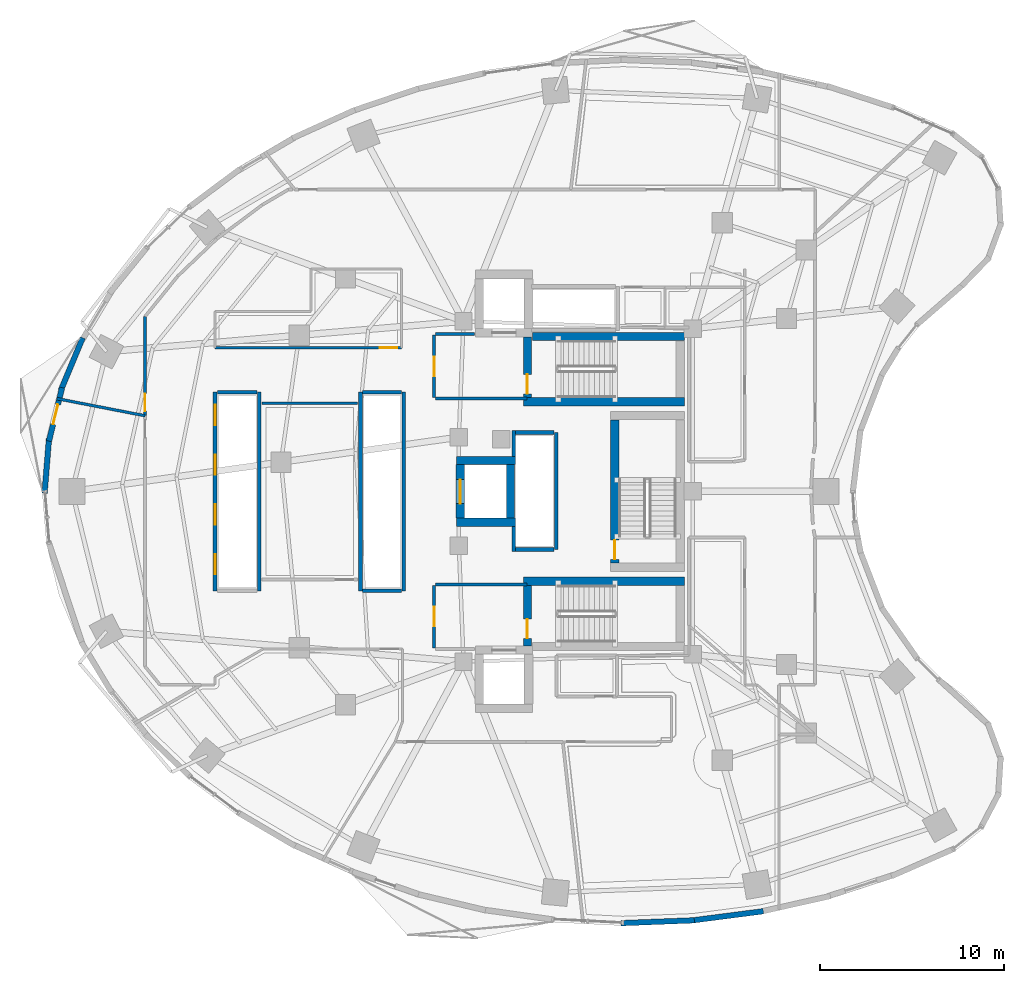
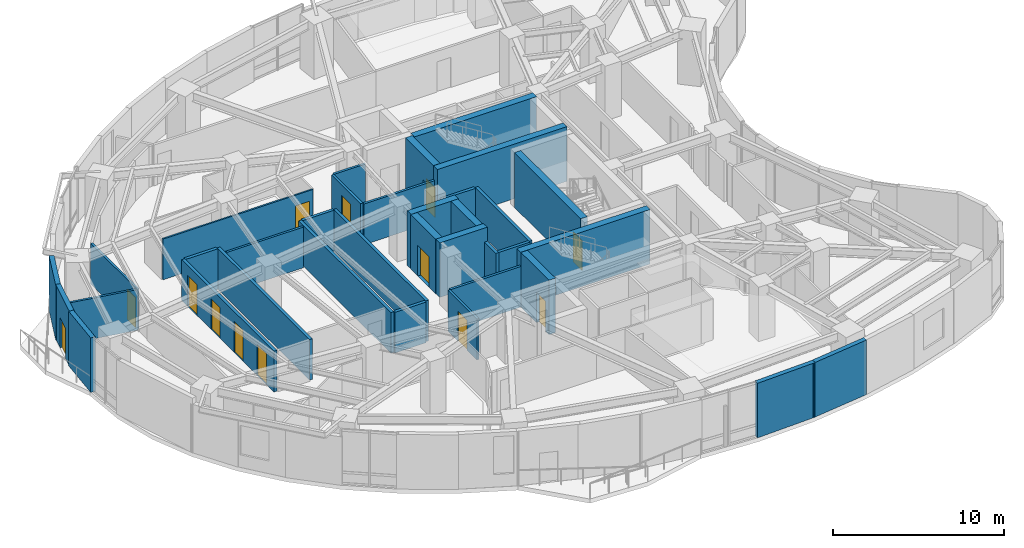
# One storey, part 9 of 15: 36 walls, 13 doors, 13 openings.
"""IFC4 building model written with IfcOpenShell, lengths in metres."""

import ifcopenshell
import ifcopenshell.guid

model = None  # the IFC model being written
_history = None  # IfcOwnerHistory: only IFC2X3 demands one
_inside = {}  # id of a spatial element -> (the spatial element, [elements in it])
_under = {}  # id of a project, library or spatial element -> (it, [spatial elements below it])
_declared = {}  # id of a project -> (the project, [libraries it declares])
_typed = {}  # id of a type object -> (the type object, [elements of that type])
_made_of = {}  # id of a material, layer set ... -> (it, [elements and type objects made of it])


def new_model(schema):
    """Start an empty IFC model of exactly this schema.

    Asked for "IFC4X3", IfcOpenShell would pick the latest addendum, in which some entities
    have other attributes; the version numbers below select the first issue.
    IFC2X3 requires an IfcOwnerHistory on every rooted entity: one is made here for all.
    """
    global model, _history
    if schema == "IFC4X3":
        model = ifcopenshell.file(schema_version=(4, 3, 0, 0))
    else:
        model = ifcopenshell.file(schema=schema)
    _inside.clear()
    _under.clear()
    _declared.clear()
    _typed.clear()
    _made_of.clear()
    _history = None
    if model.schema == "IFC2X3":
        org = make("IfcOrganization", Name="unknown")
        user = make(
            "IfcPersonAndOrganization",
            ThePerson=make("IfcPerson", FamilyName="unknown"),
            TheOrganization=org,
        )
        app = make(
            "IfcApplication",
            ApplicationDeveloper=org,
            Version="unknown",
            ApplicationFullName="unknown",
            ApplicationIdentifier="unknown",
        )
        _history = make(
            "IfcOwnerHistory",
            OwningUser=user,
            OwningApplication=app,
            ChangeAction="ADDED",
            CreationDate=0,
        )
    return model


def make(cls, **values):
    """One entity of the class cls with the attributes given. An attribute that is None is left unset."""
    return model.create_entity(
        cls, **{name: value for name, value in values.items() if value is not None}
    )


def rooted(cls, **values):
    """An entity with a GlobalId (a new one), such as an element, a storey or a relation."""
    return make(cls, GlobalId=ifcopenshell.guid.new(), OwnerHistory=_history, **values)


def si_unit(unit_type, name, prefix=None):
    """IfcSIUnit, for example si_unit("LENGTHUNIT", "METRE", prefix="MILLI")."""
    return make("IfcSIUnit", UnitType=unit_type, Prefix=prefix, Name=name)


def assignment(units):
    """IfcUnitAssignment: the units of a project."""
    return None if units is None else make("IfcUnitAssignment", Units=units)


def point(xyz):
    """IfcCartesianPoint."""
    return None if xyz is None else make("IfcCartesianPoint", Coordinates=xyz)


def direction(xyz):
    """IfcDirection."""
    return None if xyz is None else make("IfcDirection", DirectionRatios=xyz)


def frame(location, z_axis=None, x_axis=None):
    """IfcAxis2Placement3D, a coordinate frame: its origin and axes. An axis left out is left unset."""
    return make(
        "IfcAxis2Placement3D",
        Location=point(location),
        Axis=direction(z_axis),
        RefDirection=direction(x_axis),
    )


def frame_2d(location, x_axis=None):
    """IfcAxis2Placement2D, a coordinate frame in the plane: its origin and x axis."""
    return make(
        "IfcAxis2Placement2D", Location=point(location), RefDirection=direction(x_axis)
    )


def origin():
    """The frame at (0, 0, 0) with its axes left unset."""
    return frame((0.0, 0.0, 0.0))


def place(relative_to, where):
    """IfcLocalPlacement: puts the frame where relative to a parent placement (None: the world)."""
    return make(
        "IfcLocalPlacement", PlacementRelTo=relative_to, RelativePlacement=where
    )


def context(
    kind, dimensions, precision=None, world=None, true_north=None, identifier=None
):
    """IfcGeometricRepresentationContext, for example the 3D "Model" context."""
    return make(
        "IfcGeometricRepresentationContext",
        ContextIdentifier=identifier,
        ContextType=kind,
        CoordinateSpaceDimension=dimensions,
        Precision=precision,
        WorldCoordinateSystem=world,
        TrueNorth=true_north,
    )


def subcontext(parent, identifier, kind, view, scale=None):
    """IfcGeometricRepresentationSubContext, for example "Body" below "Model"."""
    return make(
        "IfcGeometricRepresentationSubContext",
        ContextIdentifier=identifier,
        ContextType=kind,
        ParentContext=parent,
        TargetScale=scale,
        TargetView=view,
    )


def project(units=None, contexts=None):
    """IfcProject with its units and contexts."""
    return rooted(
        "IfcProject",
        Name="project",
        RepresentationContexts=contexts,
        UnitsInContext=assignment(units),
    )


def spatial(cls, under=None, at=None, **own):
    """A site, building, storey or space (cls), placed at a placement, below another one or the project."""
    s = rooted(cls, ObjectPlacement=at, **own)
    if under is not None:
        _under.setdefault(under.id(), (under, []))[1].append(s)
    return s


def profile(cls, at=None, kind="AREA", **sizes):
    """A parametric profile (cls). Its sizes go by their IFC names, for example OverallWidth=200.0."""
    return make(cls, ProfileType=kind, Position=at, **sizes)


def rectangle(**sizes):
    """IfcRectangleProfileDef."""
    return profile("IfcRectangleProfileDef", **sizes)


def extrude(swept, where, along, depth):
    """IfcExtrudedAreaSolid: the profile swept, set in the frame where, extruded along a direction by depth."""
    return make(
        "IfcExtrudedAreaSolid",
        SweptArea=swept,
        Position=where,
        ExtrudedDirection=direction(along),
        Depth=depth,
    )


def shape(context_of_items, identifier, shape_type, items):
    """IfcShapeRepresentation: the items that make up one representation, for example the "Body"."""
    return make(
        "IfcShapeRepresentation",
        ContextOfItems=context_of_items,
        RepresentationIdentifier=identifier,
        RepresentationType=shape_type,
        Items=items,
    )


def material(Name=None, Category=None):
    """IfcMaterial."""
    return make("IfcMaterial", Name=Name, Category=Category)


def layer(
    of_material, thickness, ventilated=None, Name=None, Category=None, Priority=None
):
    """IfcMaterialLayer: one layer of a wall or slab, of a material (None: an air gap)."""
    return make(
        "IfcMaterialLayer",
        Material=of_material,
        LayerThickness=thickness,
        IsVentilated=ventilated,
        Name=Name,
        Category=Category,
        Priority=Priority,
    )


def layer_set(layers, Name=None):
    """IfcMaterialLayerSet."""
    return make("IfcMaterialLayerSet", MaterialLayers=layers, LayerSetName=Name)


def made_of(thing, what):
    """Note that an element or type object is made of a material, layer set ...; save() writes the relation."""
    if what is not None:
        _made_of.setdefault(what.id(), (what, []))[1].append(thing)
    return thing


def type_object(cls, material=None, **own):
    """A type object (cls), such as IfcWallType, which elements share."""
    return made_of(rooted(cls, **own), material)


def element(
    cls,
    number,
    at=None,
    inside=None,
    cuts=None,
    type_object=None,
    material=None,
    context=None,
    identifier="Body",
    shape_type=None,
    held_by="IfcProductDefinitionShape",
    body=None,
    shapes=None,
    **own,
):
    """One element of the class cls, such as IfcWall. Its Tag is "e" and its number.

    at: its placement. inside: the storey or other place that contains it. cuts: it is an
    opening in that element (IfcRelVoidsElement). A single representation is given by context,
    identifier, shape_type and body (its items); several are given by shapes. held_by: the class
    of the entity that holds the representations. save() writes the other relations.
    """
    e = rooted(cls, Tag="e%d" % number, ObjectPlacement=at, **own)
    if body is not None:
        shapes = [shape(context, identifier, shape_type, body)]
    if shapes is not None:
        e.Representation = make(held_by, Representations=shapes)
    if inside is not None:
        _inside.setdefault(inside.id(), (inside, []))[1].append(e)
    if cuts is not None:
        rooted(
            "IfcRelVoidsElement", RelatingBuildingElement=cuts, RelatedOpeningElement=e
        )
    if type_object is not None:
        _typed.setdefault(type_object.id(), (type_object, []))[1].append(e)
    return made_of(e, material)


def fill(opening, filler):
    """IfcRelFillsElement: the door or window that sits in an opening."""
    return rooted(
        "IfcRelFillsElement",
        RelatingOpeningElement=opening,
        RelatedBuildingElement=filler,
    )


def aggregate(whole, parts):
    """IfcRelAggregates: a whole, such as a stair, and the parts it consists of."""
    return rooted("IfcRelAggregates", RelatingObject=whole, RelatedObjects=parts)


def save(model, path):
    """Write the relations noted so far, then the file.

    IfcRelAggregates (storeys below a building ...), IfcRelContainedInSpatialStructure (elements
    in a storey), IfcRelDefinesByType, IfcRelAssociatesMaterial and IfcRelDeclares: one each for
    every whole, place, type object, material and project.
    """
    for whole, parts in _under.values():
        aggregate(whole, parts)
    for where, things in _inside.values():
        rooted(
            "IfcRelContainedInSpatialStructure",
            RelatedElements=things,
            RelatingStructure=where,
        )
    for kind, things in _typed.values():
        rooted("IfcRelDefinesByType", RelatedObjects=things, RelatingType=kind)
    for what, things in _made_of.values():
        rooted("IfcRelAssociatesMaterial", RelatedObjects=things, RelatingMaterial=what)
    for by, libraries in _declared.values():
        rooted("IfcRelDeclares", RelatingContext=by, RelatedDefinitions=libraries)
    model.write(path)


model = new_model("IFC4")

# Units and contexts
model_context = context("Model", 3, precision=1e-05, world=origin(), true_north=direction((0.0, 1.0)))
body_context = subcontext(model_context, "Body", "Model", "MODEL_VIEW")
ifc_project = project(units=[si_unit("LENGTHUNIT", "METRE"), si_unit("AREAUNIT", "SQUARE_METRE"), si_unit("VOLUMEUNIT", "CUBIC_METRE"), si_unit("PLANEANGLEUNIT", "RADIAN"), si_unit("MASSUNIT", "GRAM", prefix="KILO")], contexts=[model_context])

# Site, building, storey
site_placement = place(None, origin())
site = spatial("IfcSite", under=ifc_project, at=site_placement, CompositionType="ELEMENT")
building_placement = place(site_placement, origin())
building = spatial("IfcBuilding", under=site, at=building_placement, Name="Korentha Bioscience Tower", CompositionType="ELEMENT")
storey_placement = place(building_placement, frame((0.0, 0.0, 76.199951171875)))
storey = spatial("IfcBuildingStorey", under=building, at=storey_placement, Name="L17", CompositionType="ELEMENT", Elevation=76.199951171875)

# Wall, opening, door
ifc_material_1 = material(Name="Double-Stud Acoustic Gypsum", Category="gypsum")
ifc_layer_1 = layer(ifc_material_1, 0.14990234375, Name="Double-Stud Acoustic Gypsum")
ifc_layer_set_1 = layer_set([ifc_layer_1], Name="Double-Stud Acoustic Gypsum (IW-L150)")
wall_type_1 = type_object("IfcWallType", Name="Acoustic Laboratory Partition Wall 150", PredefinedType="PARTITIONING", material=ifc_layer_set_1)
wall_1_placement = place(storey_placement, frame((7.7900390625, 36.501220703125, 0.0), z_axis=(0.0, 0.0, 1.0), x_axis=(0.0, -1.0, 0.0)))
wall_1 = element("IfcWall", 1, at=wall_1_placement, inside=storey, type_object=wall_type_1, Name="L17 Senior Scientist Corner Office 14 Entrance Wall", PredefinedType="PARTITIONING", context=body_context, shape_type="SweptSolid", body=[
    extrude(rectangle(XDim=5.37548828125, YDim=0.14990234375, at=frame_2d((2.687744140625, 0.0))), origin(), (0.0, 0.0, 1.0), 2.91015625),
])
opening_1_placement = place(wall_1_placement, frame((4.185302734375, 0.0, 0.0)))
opening_1 = element("IfcOpeningElement", 2, at=opening_1_placement, cuts=wall_1, Name="Opening ID-10L", PredefinedType="OPENING", context=body_context, shape_type="SweptSolid", body=[
    extrude(rectangle(XDim=0.949951171875, YDim=2.14990234375, at=frame_2d((0.47509765625, 1.074951171875))), frame((0.0, 0.08984375, 0.0), z_axis=(0.0, -1.0, 0.0), x_axis=(1.0, 0.0, 0.0)), (0.0, 0.0, 1.0), 0.1796875),
])
ifc_material_2 = material(Name="Phenolic Laminate Timber Core", Category="wood")
door_type_1 = type_object("IfcDoorType", Name="Laboratory Single Leaf Door 950x2150 Left", OperationType="SINGLE_SWING_LEFT", PredefinedType="DOOR", material=ifc_material_2)
door_1_placement = place(opening_1_placement, origin())
door_1 = element("IfcDoor", 3, at=door_1_placement, inside=storey, type_object=door_type_1, Name="L17 Senior Scientist Corner Office 14 Door", OperationType="SINGLE_SWING_LEFT", OverallHeight=2.14990234375, OverallWidth=0.949951171875, PredefinedType="DOOR", context=body_context, shape_type="SweptSolid", body=[
    extrude(rectangle(XDim=0.949951171875, YDim=2.14990234375, at=frame_2d((0.47509765625, 1.074951171875))), frame((0.0, 0.02490234375, 0.0), z_axis=(0.0, -1.0, 0.0), x_axis=(1.0, 0.0, 0.0)), (0.0, 0.0, 1.0), 0.050048828125),
])
fill(opening_1, door_1)

# Walls
wall_2_placement = place(storey_placement, frame((14.159912109375, 31.7900390625, 0.0), z_axis=(0.0, 0.0, 1.0), x_axis=(1.0, 0.0, 0.0)))
element("IfcWall", 4, at=wall_2_placement, inside=storey, type_object=wall_type_1, Name="L17 Interior Partition 022", PredefinedType="PARTITIONING", context=body_context, shape_type="SweptSolid", body=[
    extrude(rectangle(XDim=5.18017578125, YDim=0.14990234375, at=frame_2d((2.590087890625, 0.0))), origin(), (0.0, 0.0, 1.0), 2.91015625),
])
wall_3_placement = place(storey_placement, frame((2.9951171875, 32.047607421875, 0.0), z_axis=(0.0, 0.0, 1.0), x_axis=(0.981623712682, -0.190826850052, 0.0)))
element("IfcWall", 5, at=wall_3_placement, inside=storey, type_object=wall_type_1, Name="L17 Interior Partition 023", PredefinedType="PARTITIONING", context=body_context, shape_type="SweptSolid", body=[
    extrude(rectangle(XDim=4.884765625, YDim=0.14990234375, at=frame_2d((2.4423828125, 0.0))), origin(), (0.0, 0.0, 1.0), 2.91015625),
])

# Wall, opening, door
ifc_material_3 = material(Name="Fire-Rated Framed Glass", Category="glass")
ifc_layer_2 = layer(ifc_material_3, 0.110107421875, Name="Fire-Rated Framed Glass")
ifc_layer_set_2 = layer_set([ifc_layer_2], Name="Fire-Rated Framed Glass (IW-G110)")
wall_type_2 = type_object("IfcWallType", Name="Demountable Glazed Office Partition 110", PredefinedType="MOVABLE", material=ifc_layer_set_2)
wall_4_placement = place(storey_placement, frame((21.739990234375, 34.81005859375, 0.0), z_axis=(0.0, 0.0, 1.0), x_axis=(-1.0, 0.0, 0.0)))
wall_4 = element("IfcWall", 6, at=wall_4_placement, inside=storey, type_object=wall_type_2, Name="L17 Epidemiology Modelling Studio 13 Entrance Wall", PredefinedType="MOVABLE", context=body_context, shape_type="SweptSolid", body=[
    extrude(rectangle(XDim=10.14990234375, YDim=0.110107421875, at=frame_2d((5.074951171875, 0.0))), origin(), (0.0, 0.0, 1.0), 2.91015625),
])
opening_2_placement = place(wall_4_placement, frame((0.239990234375, 0.0, 0.0)))
opening_2 = element("IfcOpeningElement", 7, at=opening_2_placement, cuts=wall_4, Name="Opening ID-10R", PredefinedType="OPENING", context=body_context, shape_type="SweptSolid", body=[
    extrude(rectangle(XDim=0.949951171875, YDim=2.14990234375, at=frame_2d((0.47509765625, 1.074951171875))), frame((0.0, 0.06982421875, 0.0), z_axis=(0.0, -1.0, 0.0), x_axis=(1.0, 0.0, 0.0)), (0.0, 0.0, 1.0), 0.139892578125),
])
door_type_2 = type_object("IfcDoorType", Name="Laboratory Single Leaf Door 950x2150 Right", OperationType="SINGLE_SWING_RIGHT", PredefinedType="DOOR", material=ifc_material_2)
door_2_placement = place(opening_2_placement, origin())
door_2 = element("IfcDoor", 8, at=door_2_placement, inside=storey, type_object=door_type_2, Name="L17 Epidemiology Modelling Studio 13 Door", OperationType="SINGLE_SWING_RIGHT", OverallHeight=2.14990234375, OverallWidth=0.949951171875, PredefinedType="DOOR", context=body_context, shape_type="SweptSolid", body=[
    extrude(rectangle(XDim=0.949951171875, YDim=2.14990234375, at=frame_2d((0.47509765625, 1.074951171875))), frame((0.0, 0.02490234375, 0.0), z_axis=(0.0, -1.0, 0.0), x_axis=(1.0, 0.0, 0.0)), (0.0, 0.0, 1.0), 0.050048828125),
])
fill(opening_2, door_2)

ifc_material_4 = material(Name="Gypsum-Clad Steel Stud", Category="steel")
ifc_layer_3 = layer(ifc_material_4, 0.159912109375, Name="Gypsum-Clad Steel Stud")
ifc_layer_set_3 = layer_set([ifc_layer_3], Name="Gypsum-Clad Steel Stud (IW-C160)")
wall_type_3 = type_object("IfcWallType", Name="Fire-Rated Corridor Partition Wall 160", PredefinedType="PARTITIONING", material=ifc_layer_set_3)
wall_5_placement = place(storey_placement, frame((23.5, 32.10009765625, 0.0), z_axis=(0.0, 0.0, 1.0), x_axis=(0.0, 1.0, 0.0)))
wall_5 = element("IfcWall", 9, at=wall_5_placement, inside=storey, type_object=wall_type_3, Name="L17 FFLN-CW Rated Enclosure Wall", PredefinedType="PARTITIONING", context=body_context, shape_type="SweptSolid", body=[
    extrude(rectangle(XDim=3.39990234375, YDim=0.159912109375, at=frame_2d((1.699951171875, 0.0))), origin(), (0.0, 0.0, 1.0), 2.91015625),
])
opening_3_placement = place(wall_5_placement, frame((1.175048828125, 0.0, 0.0)))
opening_3 = element("IfcOpeningElement", 10, at=opening_3_placement, cuts=wall_5, Name="Opening FD-90R", PredefinedType="OPENING", context=body_context, shape_type="SweptSolid", body=[
    extrude(rectangle(XDim=1.050048828125, YDim=2.14990234375, at=frame_2d((0.52490234375, 1.074951171875))), frame((0.0, 0.0947265625, 0.0), z_axis=(0.0, -1.0, 0.0), x_axis=(1.0, 0.0, 0.0)), (0.0, 0.0, 1.0), 0.189697265625),
])
ifc_material_5 = material(Name="Powder-Coated Fire-Rated Steel", Category="steel")
door_type_3 = type_object("IfcDoorType", Name="Stairwell Fire Exit Door 1050x2150 Right", OperationType="SINGLE_SWING_RIGHT", PredefinedType="DOOR", material=ifc_material_5)
door_3_placement = place(opening_3_placement, origin())
door_3 = element("IfcDoor", 11, at=door_3_placement, inside=storey, type_object=door_type_3, Name="L17 North Firefighting Lobby Door", OperationType="SINGLE_SWING_RIGHT", OverallHeight=2.14990234375, OverallWidth=1.050048828125, PredefinedType="DOOR", context=body_context, shape_type="SweptSolid", body=[
    extrude(rectangle(XDim=1.050048828125, YDim=2.14990234375, at=frame_2d((0.52490234375, 1.074951171875))), frame((0.0, 0.02490234375, 0.0), z_axis=(0.0, -1.0, 0.0), x_axis=(1.0, 0.0, 0.0)), (0.0, 0.0, 1.0), 0.050048828125),
])
fill(opening_3, door_3)

wall_6_placement = place(storey_placement, frame((23.5, 18.5, 0.0), z_axis=(0.0, 0.0, 1.0), x_axis=(0.0, 1.0, 0.0)))
wall_6 = element("IfcWall", 12, at=wall_6_placement, inside=storey, type_object=wall_type_3, Name="L17 FFLS-CW Rated Enclosure Wall", PredefinedType="PARTITIONING", context=body_context, shape_type="SweptSolid", body=[
    extrude(rectangle(XDim=3.39990234375, YDim=0.159912109375, at=frame_2d((1.699951171875, 0.0))), origin(), (0.0, 0.0, 1.0), 2.91015625),
])
opening_4_placement = place(wall_6_placement, frame((1.175048828125, 0.0, 0.0)))
opening_4 = element("IfcOpeningElement", 13, at=opening_4_placement, cuts=wall_6, Name="Opening FD-90R", PredefinedType="OPENING", context=body_context, shape_type="SweptSolid", body=[
    extrude(rectangle(XDim=1.050048828125, YDim=2.14990234375, at=frame_2d((0.52490234375, 1.074951171875))), frame((0.0, 0.0947265625, 0.0), z_axis=(0.0, -1.0, 0.0), x_axis=(1.0, 0.0, 0.0)), (0.0, 0.0, 1.0), 0.189697265625),
])
door_4_placement = place(opening_4_placement, origin())
door_4 = element("IfcDoor", 14, at=door_4_placement, inside=storey, type_object=door_type_3, Name="L17 South Firefighting Lobby Door", OperationType="SINGLE_SWING_RIGHT", OverallHeight=2.14990234375, OverallWidth=1.050048828125, PredefinedType="DOOR", context=body_context, shape_type="SweptSolid", body=[
    extrude(rectangle(XDim=1.050048828125, YDim=2.14990234375, at=frame_2d((0.52490234375, 1.074951171875))), frame((0.0, 0.02490234375, 0.0), z_axis=(0.0, -1.0, 0.0), x_axis=(1.0, 0.0, 0.0)), (0.0, 0.0, 1.0), 0.050048828125),
])
fill(opening_4, door_4)

# Walls
wall_7_placement = place(storey_placement, frame((23.580078125, 32.050048828125, 0.0), z_axis=(0.0, 0.0, 1.0), x_axis=(1.0, 0.0, 0.0)))
element("IfcWall", 15, at=wall_7_placement, inside=storey, type_object=wall_type_3, Name="L17 Firefighting Lobby Return Wall FFLN-S", PredefinedType="PARTITIONING", context=body_context, shape_type="SweptSolid", body=[
    extrude(rectangle(XDim=4.969970703125, YDim=0.159912109375, at=frame_2d((2.48486328125, 0.0))), origin(), (0.0, 0.0, 1.0), 2.91015625),
])
wall_8_placement = place(storey_placement, frame((23.580078125, 35.550048828125, 0.0), z_axis=(0.0, 0.0, 1.0), x_axis=(1.0, 0.0, 0.0)))
element("IfcWall", 16, at=wall_8_placement, inside=storey, type_object=wall_type_3, Name="L17 Firefighting Lobby Return Wall FFLN-N", PredefinedType="PARTITIONING", context=body_context, shape_type="SweptSolid", body=[
    extrude(rectangle(XDim=2.119873046875, YDim=0.159912109375, at=frame_2d((1.06005859375, 0.0))), origin(), (0.0, 0.0, 1.0), 2.91015625),
])
wall_9_placement = place(storey_placement, frame((23.580078125, 21.949951171875, 0.0), z_axis=(0.0, 0.0, 1.0), x_axis=(1.0, 0.0, 0.0)))
element("IfcWall", 17, at=wall_9_placement, inside=storey, type_object=wall_type_3, Name="L17 Firefighting Lobby Return Wall FFLS-N", PredefinedType="PARTITIONING", context=body_context, shape_type="SweptSolid", body=[
    extrude(rectangle(XDim=4.969970703125, YDim=0.159912109375, at=frame_2d((2.48486328125, 0.0))), origin(), (0.0, 0.0, 1.0), 2.91015625),
])

# Wall, opening, door
ifc_material_6 = material(Name="Honed Limestone Precast Concrete C40", Category="masonry")
ifc_layer_4 = layer(ifc_material_6, 0.300048828125, Name="Honed Limestone Precast Concrete C40")
ifc_layer_set_4 = layer_set([ifc_layer_4], Name="Honed Limestone Precast Concrete C40 (EW-ST300)")
wall_type_4 = type_object("IfcWallType", Name="Honed Limestone Cavity Spandrel Wall 300", PredefinedType="STANDARD", material=ifc_layer_set_4)
wall_10_placement = place(storey_placement, frame((3.28466796875, 32.640625, 0.0), z_axis=(0.0, 0.0, 1.0), x_axis=(-0.238522035896, -0.971137085273, 0.0)))
wall_10 = element("IfcWall", 18, at=wall_10_placement, inside=storey, type_object=wall_type_4, Name="L17 Balcony Threshold Wall 02", PredefinedType="STANDARD", context=body_context, shape_type="SweptSolid", body=[
    extrude(rectangle(XDim=2.992919921875, YDim=0.300048828125, at=frame_2d((1.49658203125, 0.0))), origin(), (0.0, 0.0, 1.0), 3.900146484375),
])
opening_5_placement = place(wall_10_placement, frame((0.9462890625, 0.0, 0.0)))
opening_5 = element("IfcOpeningElement", 19, at=opening_5_placement, cuts=wall_10, Name="Opening BD-11R", PredefinedType="OPENING", context=body_context, shape_type="SweptSolid", body=[
    extrude(rectangle(XDim=1.10009765625, YDim=2.14990234375, at=frame_2d((0.550048828125, 1.074951171875))), frame((0.0, 0.1650390625, 0.0), z_axis=(0.0, -1.0, 0.0), x_axis=(1.0, 0.0, 0.0)), (0.0, 0.0, 1.0), 0.329833984375),
])
ifc_material_7 = material(Name="Thermally Broken Glazed Aluminium", Category="aluminium")
door_type_4 = type_object("IfcDoorType", Name="Balcony Terrace Glazed Door 1100x2150 Right", OperationType="SINGLE_SWING_RIGHT", PredefinedType="DOOR", material=ifc_material_7)
door_5_placement = place(opening_5_placement, origin())
door_5 = element("IfcDoor", 20, at=door_5_placement, inside=storey, type_object=door_type_4, Name="L17 Balcony Access Door 02", OperationType="SINGLE_SWING_RIGHT", OverallHeight=2.14990234375, OverallWidth=1.10009765625, PredefinedType="DOOR", context=body_context, shape_type="SweptSolid", body=[
    extrude(rectangle(XDim=1.10009765625, YDim=2.14990234375, at=frame_2d((0.550048828125, 1.074951171875))), frame((0.0, 0.02490234375, 0.0), z_axis=(0.0, -1.0, 0.0), x_axis=(1.0, 0.0, 0.0)), (0.0, 0.0, 1.0), 0.050048828125),
])
fill(opening_5, door_5)

# Walls
wall_11_placement = place(storey_placement, frame((4.40625, 35.34912109375, 0.0), z_axis=(0.0, 0.0, 1.0), x_axis=(-0.38535448421, -0.922768617531, 0.0)))
element("IfcWall", 21, at=wall_11_placement, inside=storey, type_object=wall_type_4, Name="L17 Limestone Perimeter Closure Wall 16", PredefinedType="STANDARD", context=body_context, shape_type="SweptSolid", body=[
    extrude(rectangle(XDim=3.095458984375, YDim=0.300048828125, at=frame_2d((1.5478515625, 0.0))), origin(), (0.0, 0.0, 1.0), 3.900146484375),
])
wall_12_placement = place(storey_placement, frame((2.57568359375, 29.899169921875, 0.0), z_axis=(0.0, 0.0, 1.0), x_axis=(-0.080890160317, -0.996723021689, 0.0)))
element("IfcWall", 22, at=wall_12_placement, inside=storey, type_object=wall_type_4, Name="L17 Limestone Perimeter Closure Wall 18", PredefinedType="STANDARD", context=body_context, shape_type="SweptSolid", body=[
    extrude(rectangle(XDim=3.0, YDim=0.300048828125, at=frame_2d((1.5, 0.0))), origin(), (0.0, 0.0, 1.0), 3.900146484375),
])
wall_13_placement = place(storey_placement, frame((33.66796875, 3.53759765625, 0.0), z_axis=(0.0, 0.0, 1.0), x_axis=(0.999245411623, 0.038840794937, 0.0)))
element("IfcWall", 23, at=wall_13_placement, inside=storey, type_object=wall_type_4, Name="L17 Limestone Perimeter Closure Wall 32", PredefinedType="STANDARD", context=body_context, shape_type="SweptSolid", body=[
    extrude(rectangle(XDim=3.978759765625, YDim=0.300048828125, at=frame_2d((1.9892578125, 0.0))), origin(), (0.0, 0.0, 1.0), 3.900146484375),
])
wall_14_placement = place(storey_placement, frame((37.471923828125, 3.677734375, 0.0), z_axis=(0.0, 0.0, 1.0), x_axis=(0.991734095036, 0.128310111617, 0.0)))
element("IfcWall", 24, at=wall_14_placement, inside=storey, type_object=wall_type_4, Name="L17 Limestone Perimeter Closure Wall 33", PredefinedType="STANDARD", context=body_context, shape_type="SweptSolid", body=[
    extrude(rectangle(XDim=3.955810546875, YDim=0.300048828125, at=frame_2d((1.97802734375, 0.0))), origin(), (0.0, 0.0, 1.0), 3.900146484375),
])

# Wall, openings, doors
ifc_material_8 = material(Name="Autoclaved Aerated Concrete Block C25", Category="concrete")
ifc_layer_5 = layer(ifc_material_8, 0.199951171875, Name="Autoclaved Aerated Concrete Block C25")
ifc_layer_set_5 = layer_set([ifc_layer_5], Name="Autoclaved Aerated Concrete Block C25 (IW-S200)")
wall_type_5 = type_object("IfcWallType", Name="Lift and Riser Shaft Enclosure Wall 200", PredefinedType="PARTITIONING", material=ifc_layer_set_5)
wall_15_placement = place(storey_placement, frame((11.60009765625, 21.60009765625, 0.0), z_axis=(0.0, 0.0, 1.0), x_axis=(0.0, 1.0, 0.0)))
wall_15 = element("IfcWall", 25, at=wall_15_placement, inside=storey, type_object=wall_type_5, Name="L17 Lift Bank LOW Shaft Wall -X", PredefinedType="PARTITIONING", context=body_context, shape_type="SweptSolid", body=[
    extrude(rectangle(XDim=10.7998046875, YDim=0.199951171875, at=frame_2d((5.39990234375, 0.0))), origin(), (0.0, 0.0, 1.0), 2.91015625),
])
opening_6_placement = place(wall_15_placement, frame((0.89990234375, 0.0, 0.0)))
opening_6 = element("IfcOpeningElement", 26, at=opening_6_placement, cuts=wall_15, Name="Opening LD-11", PredefinedType="OPENING", context=body_context, shape_type="SweptSolid", body=[
    extrude(rectangle(XDim=1.10009765625, YDim=2.199951171875, at=frame_2d((0.550048828125, 1.10009765625))), frame((0.0, 0.11474609375, 0.0), z_axis=(0.0, -1.0, 0.0), x_axis=(1.0, 0.0, 0.0)), (0.0, 0.0, 1.0), 0.229736328125),
])
opening_7_placement = place(wall_15_placement, frame((3.60009765625, 0.0, 0.0)))
opening_7 = element("IfcOpeningElement", 27, at=opening_7_placement, cuts=wall_15, Name="Opening LD-11", PredefinedType="OPENING", context=body_context, shape_type="SweptSolid", body=[
    extrude(rectangle(XDim=1.10009765625, YDim=2.199951171875, at=frame_2d((0.550048828125, 1.10009765625))), frame((0.0, 0.11474609375, 0.0), z_axis=(0.0, -1.0, 0.0), x_axis=(1.0, 0.0, 0.0)), (0.0, 0.0, 1.0), 0.229736328125),
])
opening_8_placement = place(wall_15_placement, frame((6.300048828125, 0.0, 0.0)))
opening_8 = element("IfcOpeningElement", 28, at=opening_8_placement, cuts=wall_15, Name="Opening LD-11", PredefinedType="OPENING", context=body_context, shape_type="SweptSolid", body=[
    extrude(rectangle(XDim=1.10009765625, YDim=2.199951171875, at=frame_2d((0.550048828125, 1.10009765625))), frame((0.0, 0.11474609375, 0.0), z_axis=(0.0, -1.0, 0.0), x_axis=(1.0, 0.0, 0.0)), (0.0, 0.0, 1.0), 0.229736328125),
])
opening_9_placement = place(wall_15_placement, frame((9.0, 0.0, 0.0)))
opening_9 = element("IfcOpeningElement", 29, at=opening_9_placement, cuts=wall_15, Name="Opening LD-11", PredefinedType="OPENING", context=body_context, shape_type="SweptSolid", body=[
    extrude(rectangle(XDim=1.10009765625, YDim=2.199951171875, at=frame_2d((0.550048828125, 1.10009765625))), frame((0.0, 0.11474609375, 0.0), z_axis=(0.0, -1.0, 0.0), x_axis=(1.0, 0.0, 0.0)), (0.0, 0.0, 1.0), 0.229736328125),
])
ifc_material_9 = material(Name="Brushed Stainless Steel 304", Category="steel")
door_type_5 = type_object("IfcDoorType", Name="Passenger Lift Sliding Landing Door 1100x2200", OperationType="DOUBLE_DOOR_SLIDING", PredefinedType="DOOR", material=ifc_material_9)
door_6_placement = place(opening_6_placement, origin())
door_6 = element("IfcDoor", 30, at=door_6_placement, inside=storey, type_object=door_type_5, Name="L17 PL-L1 Sliding Lift Landing Door", OperationType="DOUBLE_DOOR_SLIDING", OverallHeight=2.199951171875, OverallWidth=1.10009765625, PredefinedType="DOOR", context=body_context, shape_type="SweptSolid", body=[
    extrude(rectangle(XDim=1.10009765625, YDim=2.199951171875, at=frame_2d((0.550048828125, 1.10009765625))), frame((0.0, 0.02490234375, 0.0), z_axis=(0.0, -1.0, 0.0), x_axis=(1.0, 0.0, 0.0)), (0.0, 0.0, 1.0), 0.050048828125),
])
fill(opening_6, door_6)
door_7_placement = place(opening_7_placement, origin())
door_7 = element("IfcDoor", 31, at=door_7_placement, inside=storey, type_object=door_type_5, Name="L17 PL-L2 Sliding Lift Landing Door", OperationType="DOUBLE_DOOR_SLIDING", OverallHeight=2.199951171875, OverallWidth=1.10009765625, PredefinedType="DOOR", context=body_context, shape_type="SweptSolid", body=[
    extrude(rectangle(XDim=1.10009765625, YDim=2.199951171875, at=frame_2d((0.550048828125, 1.10009765625))), frame((0.0, 0.02490234375, 0.0), z_axis=(0.0, -1.0, 0.0), x_axis=(1.0, 0.0, 0.0)), (0.0, 0.0, 1.0), 0.050048828125),
])
fill(opening_7, door_7)
door_8_placement = place(opening_8_placement, origin())
door_8 = element("IfcDoor", 32, at=door_8_placement, inside=storey, type_object=door_type_5, Name="L17 PL-L3 Sliding Lift Landing Door", OperationType="DOUBLE_DOOR_SLIDING", OverallHeight=2.199951171875, OverallWidth=1.10009765625, PredefinedType="DOOR", context=body_context, shape_type="SweptSolid", body=[
    extrude(rectangle(XDim=1.10009765625, YDim=2.199951171875, at=frame_2d((0.550048828125, 1.10009765625))), frame((0.0, 0.02490234375, 0.0), z_axis=(0.0, -1.0, 0.0), x_axis=(1.0, 0.0, 0.0)), (0.0, 0.0, 1.0), 0.050048828125),
])
fill(opening_8, door_8)
door_9_placement = place(opening_9_placement, origin())
door_9 = element("IfcDoor", 33, at=door_9_placement, inside=storey, type_object=door_type_5, Name="L17 PL-L4 Sliding Lift Landing Door", OperationType="DOUBLE_DOOR_SLIDING", OverallHeight=2.199951171875, OverallWidth=1.10009765625, PredefinedType="DOOR", context=body_context, shape_type="SweptSolid", body=[
    extrude(rectangle(XDim=1.10009765625, YDim=2.199951171875, at=frame_2d((0.550048828125, 1.10009765625))), frame((0.0, 0.02490234375, 0.0), z_axis=(0.0, -1.0, 0.0), x_axis=(1.0, 0.0, 0.0)), (0.0, 0.0, 1.0), 0.050048828125),
])
fill(opening_9, door_9)

# Walls
wall_16_placement = place(storey_placement, frame((14.0, 21.60009765625, 0.0), z_axis=(0.0, 0.0, 1.0), x_axis=(0.0, 1.0, 0.0)))
element("IfcWall", 34, at=wall_16_placement, inside=storey, type_object=wall_type_5, Name="L17 Lift Bank LOW Shaft Wall +X", PredefinedType="PARTITIONING", context=body_context, shape_type="SweptSolid", body=[
    extrude(rectangle(XDim=10.7998046875, YDim=0.199951171875, at=frame_2d((5.39990234375, 0.0))), origin(), (0.0, 0.0, 1.0), 2.91015625),
])
wall_17_placement = place(storey_placement, frame((11.719970703125, 32.39990234375, 0.0), z_axis=(0.0, 0.0, 1.0), x_axis=(1.0, 0.0, 0.0)))
element("IfcWall", 35, at=wall_17_placement, inside=storey, type_object=wall_type_5, Name="L17 Lift Bank LOW Shaft Wall +Y", PredefinedType="PARTITIONING", context=body_context, shape_type="SweptSolid", body=[
    extrude(rectangle(XDim=2.159912109375, YDim=0.199951171875, at=frame_2d((1.080078125, 0.0))), origin(), (0.0, 0.0, 1.0), 2.91015625),
])
for number, where, z_axis, x_axis, name in (
    (36, (19.5, 21.60009765625, 0.0), (0.0, 0.0, 1.0), (0.0, 1.0, 0.0), "L17 Lift Bank MID Shaft Wall -X"),
    (37, (21.85009765625, 21.60009765625, 0.0), (0.0, 0.0, 1.0), (0.0, 1.0, 0.0), "L17 Lift Bank MID Shaft Wall +X"),
):
    element("IfcWall", number, at=place(storey_placement, frame(where, z_axis=z_axis, x_axis=x_axis)), inside=storey, type_object=wall_type_5, Name=name, PredefinedType="PARTITIONING", context=body_context, shape_type="SweptSolid", body=[
        extrude(rectangle(XDim=10.7998046875, YDim=0.199951171875, at=frame_2d((5.39990234375, 0.0))), origin(), (0.0, 0.0, 1.0), 2.91015625),
    ])
for number, where, z_axis, x_axis, name in (
    (38, (19.6201171875, 21.60009765625, 0.0), (0.0, 0.0, 1.0), (1.0, 0.0, 0.0), "L17 Lift Bank MID Shaft Wall -Y"),
    (39, (19.6201171875, 32.39990234375, 0.0), (0.0, 0.0, 1.0), (1.0, 0.0, 0.0), "L17 Lift Bank MID Shaft Wall +Y"),
):
    element("IfcWall", number, at=place(storey_placement, frame(where, z_axis=z_axis, x_axis=x_axis)), inside=storey, type_object=wall_type_5, Name=name, PredefinedType="PARTITIONING", context=body_context, shape_type="SweptSolid", body=[
        extrude(rectangle(XDim=2.10986328125, YDim=0.199951171875, at=frame_2d((1.054931640625, 0.0))), origin(), (0.0, 0.0, 1.0), 2.91015625),
    ])
wall_18_placement = place(storey_placement, frame((27.830078125, 23.75, 0.0), z_axis=(0.0, 0.0, 1.0), x_axis=(0.0, 1.0, 0.0)))
element("IfcWall", 40, at=wall_18_placement, inside=storey, type_object=wall_type_5, Name="L17 Lift Bank HIGH Shaft Wall -XS", PredefinedType="PARTITIONING", context=body_context, shape_type="SweptSolid", body=[
    extrude(rectangle(XDim=1.341064453125, YDim=0.199951171875, at=frame_2d((0.67041015625, 0.0))), origin(), (0.0, 0.0, 1.0), 2.91015625),
])
wall_19_placement = place(storey_placement, frame((27.830078125, 28.908935546875, 0.0), z_axis=(0.0, 0.0, 1.0), x_axis=(0.0, 1.0, 0.0)))
element("IfcWall", 41, at=wall_19_placement, inside=storey, type_object=wall_type_5, Name="L17 Lift Bank HIGH Shaft Wall -XN", PredefinedType="PARTITIONING", context=body_context, shape_type="SweptSolid", body=[
    extrude(rectangle(XDim=1.39111328125, YDim=0.199951171875, at=frame_2d((0.695556640625, 0.0))), origin(), (0.0, 0.0, 1.0), 2.91015625),
])
wall_20_placement = place(storey_placement, frame((30.14990234375, 23.85009765625, 0.0), z_axis=(0.0, 0.0, 1.0), x_axis=(0.0, 1.0, 0.0)))
element("IfcWall", 42, at=wall_20_placement, inside=storey, type_object=wall_type_5, Name="L17 Lift Bank HIGH Shaft Wall +X", PredefinedType="PARTITIONING", context=body_context, shape_type="SweptSolid", body=[
    extrude(rectangle(XDim=6.349853515625, YDim=0.199951171875, at=frame_2d((3.1748046875, 0.0))), origin(), (0.0, 0.0, 1.0), 2.91015625),
])
for number, where, z_axis, x_axis, name in (
    (43, (27.93408203125, 23.85009765625, 0.0), (0.0, 0.0, 1.0), (1.0, 0.0, 0.0), "L17 Lift Bank HIGH Shaft Wall -Y"),
    (44, (27.93408203125, 30.199951171875, 0.0), (0.0, 0.0, 1.0), (1.0, 0.0, 0.0), "L17 Lift Bank HIGH Shaft Wall +Y"),
):
    element("IfcWall", number, at=place(storey_placement, frame(where, z_axis=z_axis, x_axis=x_axis)), inside=storey, type_object=wall_type_5, Name=name, PredefinedType="PARTITIONING", context=body_context, shape_type="SweptSolid", body=[
        extrude(rectangle(XDim=2.095947265625, YDim=0.199951171875, at=frame_2d((1.0478515625, 0.0))), origin(), (0.0, 0.0, 1.0), 2.91015625),
    ])
ifc_material_10 = material(Name="Concrete C80", Category="concrete")
ifc_layer_6 = layer(ifc_material_10, 0.449951171875, Name="Concrete C80")
ifc_layer_set_6 = layer_set([ifc_layer_6], Name="Concrete C80 (CW-C80)")
wall_type_6 = type_object("IfcWallType", Name="Lower Core Shear Wall 450", PredefinedType="SHEAR", material=ifc_layer_set_6)
wall_21_placement = place(storey_placement, frame((28.85205078125, 35.425048828125, 0.0), z_axis=(0.0, 0.0, 1.0), x_axis=(1.0, 0.0, 0.0)))
element("IfcWall", 45, at=wall_21_placement, inside=storey, type_object=wall_type_6, Name="L17 Core Shear Wall ST1-N", PredefinedType="SHEAR", context=body_context, shape_type="SweptSolid", body=[
    extrude(rectangle(XDim=8.248046875, YDim=0.449951171875, at=frame_2d((4.1240234375, 0.0))), origin(), (0.0, 0.0, 1.0), 3.900146484375),
])
wall_22_placement = place(storey_placement, frame((28.35009765625, 31.875, 0.0), z_axis=(0.0, 0.0, 1.0), x_axis=(1.0, 0.0, 0.0)))
element("IfcWall", 46, at=wall_22_placement, inside=storey, type_object=wall_type_6, Name="L17 Core Shear Wall ST1-S", PredefinedType="SHEAR", context=body_context, shape_type="SweptSolid", body=[
    extrude(rectangle(XDim=8.75, YDim=0.449951171875, at=frame_2d((4.375, 0.0))), origin(), (0.0, 0.0, 1.0), 3.900146484375),
])

# Wall, opening, door
wall_23_placement = place(storey_placement, frame((28.574951171875, 32.110107421875, 0.0), z_axis=(0.0, 0.0, 1.0), x_axis=(0.0, 1.0, 0.0)))
wall_23 = element("IfcWall", 47, at=wall_23_placement, inside=storey, type_object=wall_type_6, Name="L17 Core Shear Wall ST1-W", PredefinedType="SHEAR", context=body_context, shape_type="SweptSolid", body=[
    extrude(rectangle(XDim=3.282958984375, YDim=0.449951171875, at=frame_2d((1.6416015625, 0.0))), origin(), (0.0, 0.0, 1.0), 3.900146484375),
])
opening_10_placement = place(wall_23_placement, frame((0.199951171875, 0.0, 0.0)))
opening_10 = element("IfcOpeningElement", 48, at=opening_10_placement, cuts=wall_23, Name="Opening FD-90R", PredefinedType="OPENING", context=body_context, shape_type="SweptSolid", body=[
    extrude(rectangle(XDim=1.050048828125, YDim=2.14990234375, at=frame_2d((0.52490234375, 1.074951171875))), frame((0.0, 0.23974609375, 0.0), z_axis=(0.0, -1.0, 0.0), x_axis=(1.0, 0.0, 0.0)), (0.0, 0.0, 1.0), 0.479736328125),
])
door_10_placement = place(opening_10_placement, origin())
door_10 = element("IfcDoor", 49, at=door_10_placement, inside=storey, type_object=door_type_3, Name="L17 ST-1 Fire Exit Stair Door", OperationType="SINGLE_SWING_RIGHT", OverallHeight=2.14990234375, OverallWidth=1.050048828125, PredefinedType="DOOR", context=body_context, shape_type="SweptSolid", body=[
    extrude(rectangle(XDim=1.050048828125, YDim=2.14990234375, at=frame_2d((0.52490234375, 1.074951171875))), frame((0.0, 0.02490234375, 0.0), z_axis=(0.0, -1.0, 0.0), x_axis=(1.0, 0.0, 0.0)), (0.0, 0.0, 1.0), 0.050048828125),
])
fill(opening_10, door_10)

# Wall
wall_24_placement = place(storey_placement, frame((28.35009765625, 22.125, 0.0), z_axis=(0.0, 0.0, 1.0), x_axis=(1.0, 0.0, 0.0)))
element("IfcWall", 50, at=wall_24_placement, inside=storey, type_object=wall_type_6, Name="L17 Core Shear Wall ST2-N", PredefinedType="SHEAR", context=body_context, shape_type="SweptSolid", body=[
    extrude(rectangle(XDim=8.75, YDim=0.449951171875, at=frame_2d((4.375, 0.0))), origin(), (0.0, 0.0, 1.0), 3.900146484375),
])

# Wall, opening, door
wall_25_placement = place(storey_placement, frame((28.574951171875, 18.60693359375, 0.0), z_axis=(0.0, 0.0, 1.0), x_axis=(0.0, 1.0, 0.0)))
wall_25 = element("IfcWall", 51, at=wall_25_placement, inside=storey, type_object=wall_type_6, Name="L17 Core Shear Wall ST2-W", PredefinedType="SHEAR", context=body_context, shape_type="SweptSolid", body=[
    extrude(rectangle(XDim=3.282958984375, YDim=0.449951171875, at=frame_2d((1.6416015625, 0.0))), origin(), (0.0, 0.0, 1.0), 3.900146484375),
])
opening_11_placement = place(wall_25_placement, frame((0.403076171875, 0.0, 0.0)))
opening_11 = element("IfcOpeningElement", 52, at=opening_11_placement, cuts=wall_25, Name="Opening FD-90R", PredefinedType="OPENING", context=body_context, shape_type="SweptSolid", body=[
    extrude(rectangle(XDim=1.050048828125, YDim=2.14990234375, at=frame_2d((0.52490234375, 1.074951171875))), frame((0.0, 0.23974609375, 0.0), z_axis=(0.0, -1.0, 0.0), x_axis=(1.0, 0.0, 0.0)), (0.0, 0.0, 1.0), 0.479736328125),
])
door_11_placement = place(opening_11_placement, origin())
door_11 = element("IfcDoor", 53, at=door_11_placement, inside=storey, type_object=door_type_3, Name="L17 ST-2 Fire Exit Stair Door", OperationType="SINGLE_SWING_RIGHT", OverallHeight=2.14990234375, OverallWidth=1.050048828125, PredefinedType="DOOR", context=body_context, shape_type="SweptSolid", body=[
    extrude(rectangle(XDim=1.050048828125, YDim=2.14990234375, at=frame_2d((0.52490234375, 1.074951171875))), frame((0.0, 0.02490234375, 0.0), z_axis=(0.0, -1.0, 0.0), x_axis=(1.0, 0.0, 0.0)), (0.0, 0.0, 1.0), 0.050048828125),
])
fill(opening_11, door_11)

wall_26_placement = place(storey_placement, frame((33.324951171875, 23.110107421875, 0.0), z_axis=(0.0, 0.0, 1.0), x_axis=(0.0, 1.0, 0.0)))
wall_26 = element("IfcWall", 54, at=wall_26_placement, inside=storey, type_object=wall_type_6, Name="L17 Core Shear Wall ST3-W", PredefinedType="SHEAR", context=body_context, shape_type="SweptSolid", body=[
    extrude(rectangle(XDim=7.77978515625, YDim=0.449951171875, at=frame_2d((3.889892578125, 0.0))), origin(), (0.0, 0.0, 1.0), 3.900146484375),
])
opening_12_placement = place(wall_26_placement, frame((0.199951171875, 0.0, 0.0)))
opening_12 = element("IfcOpeningElement", 55, at=opening_12_placement, cuts=wall_26, Name="Opening FD-90R", PredefinedType="OPENING", context=body_context, shape_type="SweptSolid", body=[
    extrude(rectangle(XDim=1.050048828125, YDim=2.14990234375, at=frame_2d((0.52490234375, 1.074951171875))), frame((0.0, 0.23974609375, 0.0), z_axis=(0.0, -1.0, 0.0), x_axis=(1.0, 0.0, 0.0)), (0.0, 0.0, 1.0), 0.479736328125),
])
door_12_placement = place(opening_12_placement, origin())
door_12 = element("IfcDoor", 56, at=door_12_placement, inside=storey, type_object=door_type_3, Name="L17 ST-3 Fire Exit Stair Door", OperationType="SINGLE_SWING_RIGHT", OverallHeight=2.14990234375, OverallWidth=1.050048828125, PredefinedType="DOOR", context=body_context, shape_type="SweptSolid", body=[
    extrude(rectangle(XDim=1.050048828125, YDim=2.14990234375, at=frame_2d((0.52490234375, 1.074951171875))), frame((0.0, 0.02490234375, 0.0), z_axis=(0.0, -1.0, 0.0), x_axis=(1.0, 0.0, 0.0)), (0.0, 0.0, 1.0), 0.050048828125),
])
fill(opening_12, door_12)

# Walls
for number, where, z_axis, x_axis, name in (
    (57, (24.719970703125, 28.679931640625, 0.0), (0.0, 0.0, 1.0), (1.0, 0.0, 0.0), "L17 Core Shear Wall SVL1-N"),
    (58, (24.719970703125, 25.320068359375, 0.0), (0.0, 0.0, 1.0), (1.0, 0.0, 0.0), "L17 Core Shear Wall SVL1-S"),
):
    element("IfcWall", number, at=place(storey_placement, frame(where, z_axis=z_axis, x_axis=x_axis)), inside=storey, type_object=wall_type_6, Name=name, PredefinedType="SHEAR", context=body_context, shape_type="SweptSolid", body=[
        extrude(rectangle(XDim=3.2099609375, YDim=0.449951171875, at=frame_2d((1.60498046875, 0.0))), origin(), (0.0, 0.0, 1.0), 3.900146484375),
    ])

# Wall, opening, door
wall_27_placement = place(storey_placement, frame((24.919921875, 25.547119140625, 0.0), z_axis=(0.0, 0.0, 1.0), x_axis=(0.0, 1.0, 0.0)))
wall_27 = element("IfcWall", 59, at=wall_27_placement, inside=storey, type_object=wall_type_6, Name="L17 Core Shear Wall SVL1-W", PredefinedType="SHEAR", context=body_context, shape_type="SweptSolid", body=[
    extrude(rectangle(XDim=2.90576171875, YDim=0.449951171875, at=frame_2d((1.452880859375, 0.0))), origin(), (0.0, 0.0, 1.0), 3.900146484375),
])
opening_13_placement = place(wall_27_placement, frame((0.7900390625, 0.0, 0.0)))
opening_13 = element("IfcOpeningElement", 60, at=opening_13_placement, cuts=wall_27, Name="Opening LD-13", PredefinedType="OPENING", context=body_context, shape_type="SweptSolid", body=[
    extrude(rectangle(XDim=1.300048828125, YDim=2.199951171875, at=frame_2d((0.64990234375, 1.10009765625))), frame((0.0, 0.23974609375, 0.0), z_axis=(0.0, -1.0, 0.0), x_axis=(1.0, 0.0, 0.0)), (0.0, 0.0, 1.0), 0.479736328125),
])
ifc_material_11 = material(Name="Brushed Stainless Steel 316", Category="steel")
door_type_6 = type_object("IfcDoorType", Name="Service & Firefighting Lift Landing Door 1300x2300", OperationType="DOUBLE_DOOR_SLIDING", PredefinedType="DOOR", material=ifc_material_11)
door_13_placement = place(opening_13_placement, origin())
door_13 = element("IfcDoor", 61, at=door_13_placement, inside=storey, type_object=door_type_6, Name="L17 SVL-1 Sliding Lift Landing Door", OperationType="DOUBLE_DOOR_SLIDING", OverallHeight=2.199951171875, OverallWidth=1.300048828125, PredefinedType="DOOR", context=body_context, shape_type="SweptSolid", body=[
    extrude(rectangle(XDim=1.300048828125, YDim=2.199951171875, at=frame_2d((0.64990234375, 1.10009765625))), frame((0.0, 0.02490234375, 0.0), z_axis=(0.0, -1.0, 0.0), x_axis=(1.0, 0.0, 0.0)), (0.0, 0.0, 1.0), 0.050048828125),
])
fill(opening_13, door_13)

# Wall
wall_28_placement = place(storey_placement, frame((27.64990234375, 25.547119140625, 0.0), z_axis=(0.0, 0.0, 1.0), x_axis=(0.0, 1.0, 0.0)))
element("IfcWall", 62, at=wall_28_placement, inside=storey, type_object=wall_type_6, Name="L17 Core Shear Wall SVL1-E", PredefinedType="SHEAR", context=body_context, shape_type="SweptSolid", body=[
    extrude(rectangle(XDim=2.90576171875, YDim=0.449951171875, at=frame_2d((1.452880859375, 0.0))), origin(), (0.0, 0.0, 1.0), 3.900146484375),
])

save(model, "model.ifc")
